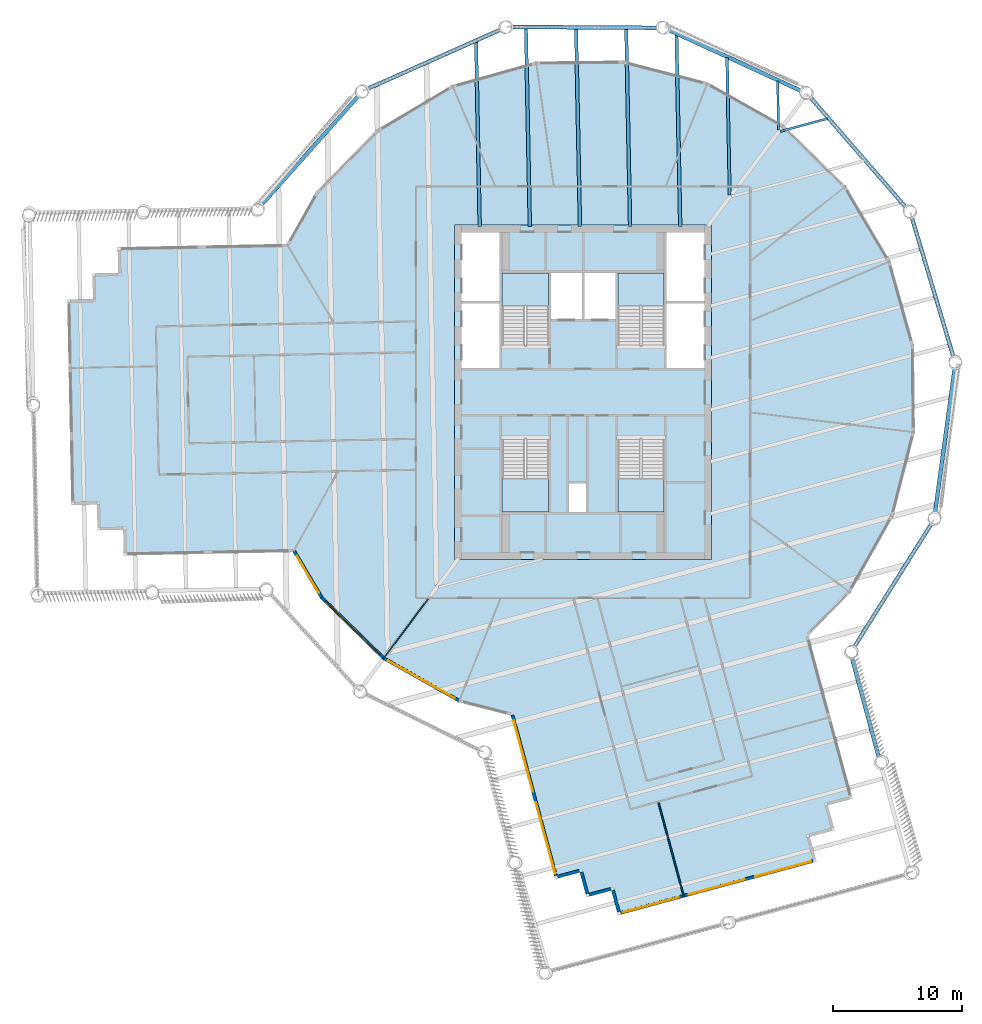
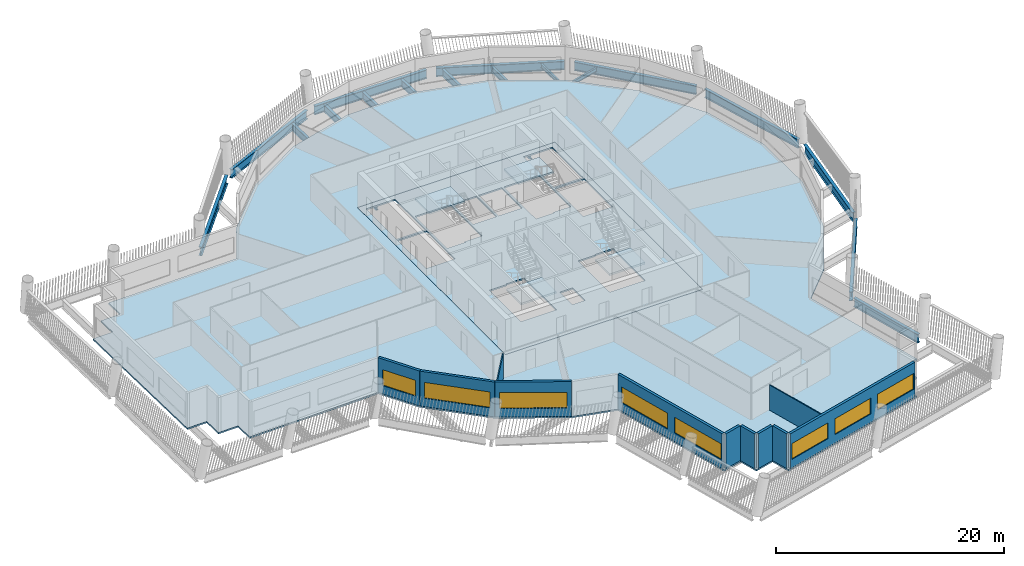
# One storey, part 2 of 15: 17 beams, 11 walls, 8 windows, 6 slabs, 8 openings, 4 elements without a shape of their own.
"""IFC4 building model written with IfcOpenShell, lengths in metres."""

from ifc_helpers import new_model, si_unit, direction, frame, frame_2d, origin, origin_2d, place, context, subcontext, project, spatial, polyline, rectangle, i_section, outline, extrude, material, layer, layer_set, material_profile, profile_set, type_object, element, fill, aggregate, save


model = new_model("IFC4")

# Units and contexts
model_context = context("Model", 3, precision=1e-05, world=origin(), true_north=direction((0.0, 1.0)))
body_context = subcontext(model_context, "Body", "Model", "MODEL_VIEW")
ifc_project = project(units=[si_unit("LENGTHUNIT", "METRE"), si_unit("AREAUNIT", "SQUARE_METRE"), si_unit("VOLUMEUNIT", "CUBIC_METRE"), si_unit("PLANEANGLEUNIT", "RADIAN"), si_unit("MASSUNIT", "GRAM", prefix="KILO")], contexts=[model_context])

# Site, building, storey
site_placement = place(None, origin())
site = spatial("IfcSite", under=ifc_project, at=site_placement, CompositionType="ELEMENT")
building_placement = place(site_placement, origin())
building = spatial("IfcBuilding", under=site, at=building_placement, Name="Tarsis Ring Headquarters", CompositionType="ELEMENT")
storey_placement = place(building_placement, frame((0.0, 0.0, 290.300048828125)))
storey = spatial("IfcBuildingStorey", under=building, at=storey_placement, Name="L68", CompositionType="ELEMENT", Elevation=290.300048828125)

# Beams
ifc_material_1 = material(Name="Structural steel S355", Category="steel")
ifc_material_profile_1 = material_profile(ifc_material_1, i_section(OverallWidth=0.177734375, OverallDepth=0.406494140625, WebThickness=0.0078125, FlangeThickness=0.0126953125, at=origin_2d()), Name="W16x40")
ifc_profile_set_1 = profile_set([ifc_material_profile_1], Name="Structural steel S355")
beam_type_1 = type_object("IfcBeamType", Name="FB Floor beam W16x40", PredefinedType="JOIST", material=ifc_profile_set_1)
beam_1_placement = place(storey_placement, frame((15.353271484375, 20.307861328125, -0.36328125), z_axis=(0.965387411617, 0.260820140119, 0.0), x_axis=(-0.260820140119, 0.965387411617, 0.0)))
element("IfcBeam", 1, at=beam_1_placement, inside=storey, type_object=beam_type_1, Name="Floor beam FB1", PredefinedType="JOIST", context=body_context, shape_type="SweptSolid", body=[
    extrude(i_section(OverallWidth=0.177734375, OverallDepth=0.406494140625, WebThickness=0.0078125, FlangeThickness=0.0126953125, at=origin_2d()), origin(), (0.0, 0.0, 1.0), 3.804931640625),
])
beam_2_placement = place(storey_placement, frame((15.12939453125, 24.224365234375, -0.36328125), z_axis=(0.019568863248, -0.999808511462, 0.0), x_axis=(0.999808511462, 0.019568863248, 0.0)))
element("IfcBeam", 2, at=beam_2_placement, inside=storey, type_object=beam_type_1, Name="Floor beam FB1", PredefinedType="JOIST", context=body_context, shape_type="SweptSolid", body=[
    extrude(i_section(OverallWidth=0.177734375, OverallDepth=0.406494140625, WebThickness=0.0078125, FlangeThickness=0.0126953125, at=origin_2d()), origin(), (0.0, 0.0, 1.0), 3.80517578125),
])
ifc_material_profile_2 = material_profile(ifc_material_1, i_section(OverallWidth=0.228271484375, OverallDepth=0.607177734375, WebThickness=0.01123046875, FlangeThickness=0.017333984375, at=origin_2d()), Name="W24x76")
ifc_profile_set_2 = profile_set([ifc_material_profile_2], Name="Structural steel S355")
beam_type_2 = type_object("IfcBeamType", Name="FB Floor beam W24x76", PredefinedType="JOIST", material=ifc_profile_set_2)
beam_3_placement = place(storey_placement, frame((11.193359375, 26.035400390625, -0.463623046875), z_axis=(0.019536448014, -0.999809145387, 0.0), x_axis=(0.999809145387, 0.019536448014, 0.0)))
element("IfcBeam", 3, at=beam_3_placement, inside=storey, type_object=beam_type_2, Name="Floor beam FB4", PredefinedType="JOIST", context=body_context, shape_type="SweptSolid", body=[
    extrude(i_section(OverallWidth=0.228271484375, OverallDepth=0.607177734375, WebThickness=0.01123046875, FlangeThickness=0.017333984375, at=origin_2d()), origin(), (0.0, 0.0, 1.0), 10.6845703125),
])
ifc_material_profile_3 = material_profile(ifc_material_1, i_section(OverallWidth=0.2666015625, OverallDepth=0.7568359375, WebThickness=0.013916015625, FlangeThickness=0.019287109375, at=origin_2d()), Name="W30x108")
ifc_profile_set_3 = profile_set([ifc_material_profile_3], Name="Structural steel S355")
beam_type_3 = type_object("IfcBeamType", Name="FB Floor beam W30x108", PredefinedType="JOIST", material=ifc_profile_set_3)
beam_4_placement = place(storey_placement, frame((7.257080078125, 27.8466796875, -0.53857421875), z_axis=(0.019548059119, -0.999808918436, 0.0), x_axis=(0.999808918436, 0.019548059119, 0.0)))
element("IfcBeam", 4, at=beam_4_placement, inside=storey, type_object=beam_type_3, Name="Floor beam FB6", PredefinedType="JOIST", context=body_context, shape_type="SweptSolid", body=[
    extrude(i_section(OverallWidth=0.2666015625, OverallDepth=0.7568359375, WebThickness=0.013916015625, FlangeThickness=0.019287109375, at=origin_2d()), origin(), (0.0, 0.0, 1.0), 14.94970703125),
])
beam_5_placement = place(storey_placement, frame((3.34716796875, 28.31982421875, -0.53857421875), z_axis=(0.019533954173, -0.999809194114, 0.0), x_axis=(0.999809194114, 0.019533954173, 0.0)))
element("IfcBeam", 5, at=beam_5_placement, inside=storey, type_object=beam_type_3, Name="Floor beam FB6", PredefinedType="JOIST", context=body_context, shape_type="SweptSolid", body=[
    extrude(i_section(OverallWidth=0.2666015625, OverallDepth=0.7568359375, WebThickness=0.013916015625, FlangeThickness=0.019287109375, at=origin_2d()), origin(), (0.0, 0.0, 1.0), 15.4228515625),
])
beam_6_placement = place(storey_placement, frame((-0.55419921875, 28.3447265625, -0.53857421875), z_axis=(0.019549865455, -0.999808883118, 0.0), x_axis=(0.999808883118, 0.019549865455, 0.0)))
element("IfcBeam", 6, at=beam_6_placement, inside=storey, type_object=beam_type_3, Name="Floor beam FB6", PredefinedType="JOIST", context=body_context, shape_type="SweptSolid", body=[
    extrude(i_section(OverallWidth=0.2666015625, OverallDepth=0.7568359375, WebThickness=0.013916015625, FlangeThickness=0.019287109375, at=origin_2d()), origin(), (0.0, 0.0, 1.0), 15.44775390625),
])
beam_7_placement = place(storey_placement, frame((-4.455322265625, 28.36962890625, -0.53857421875), z_axis=(0.019549952719, -0.999808881411, 0.0), x_axis=(0.999808881411, 0.019549952719, 0.0)))
element("IfcBeam", 7, at=beam_7_placement, inside=storey, type_object=beam_type_3, Name="Floor beam FB6", PredefinedType="JOIST", context=body_context, shape_type="SweptSolid", body=[
    extrude(i_section(OverallWidth=0.2666015625, OverallDepth=0.7568359375, WebThickness=0.013916015625, FlangeThickness=0.019287109375, at=origin_2d()), origin(), (0.0, 0.0, 1.0), 15.47265625),
])
beam_8_placement = place(storey_placement, frame((-8.335205078125, 27.301513671875, -0.53857421875), z_axis=(0.019542284377, -0.999809031326, 0.0), x_axis=(0.999809031326, 0.019542284377, 0.0)))
element("IfcBeam", 8, at=beam_8_placement, inside=storey, type_object=beam_type_3, Name="Floor beam FB6", PredefinedType="JOIST", context=body_context, shape_type="SweptSolid", body=[
    extrude(i_section(OverallWidth=0.2666015625, OverallDepth=0.7568359375, WebThickness=0.013916015625, FlangeThickness=0.019287109375, at=origin_2d()), origin(), (0.0, 0.0, 1.0), 14.404296875),
])
ifc_material_profile_4 = material_profile(ifc_material_1, i_section(OverallWidth=0.309814453125, OverallDepth=0.93212890625, WebThickness=0.02099609375, FlangeThickness=0.034423828125, at=origin_2d()), Name="W36x210")
ifc_profile_set_4 = profile_set([ifc_material_profile_4], Name="Structural steel S355")
beam_type_4 = type_object("IfcBeamType", Name="XG Ring girder W36x210", PredefinedType="BEAM", material=ifc_profile_set_4)
beam_9_placement = place(storey_placement, frame((23.01025390625, -28.42236328125, -0.466064453125), z_axis=(-0.260838199485, 0.96538253231, 0.0), x_axis=(-0.96538253231, -0.260838199485, 0.0)))
element("IfcBeam", 9, at=beam_9_placement, inside=storey, type_object=beam_type_4, Name="Ring girder XG3", PredefinedType="BEAM", context=body_context, shape_type="SweptSolid", body=[
    extrude(i_section(OverallWidth=0.309814453125, OverallDepth=0.93212890625, WebThickness=0.02099609375, FlangeThickness=0.034423828125, at=origin_2d()), origin(), (0.0, 0.0, 1.0), 7.98779296875),
])
for number, where, z_axis, x_axis, name in (
    (10, (21.05029296875, -19.88232421875, -0.466064453125), (0.531088567899, 0.847316312275, 0.0), (-0.847316312275, 0.531088567899, 0.0), "Ring girder XG3"),
    (11, (27.374267578125, -9.43798828125, -0.466064453125), (0.134602783126, 0.990899637085, 0.0), (-0.990899637085, 0.134602783126, 0.0), "Ring girder XG3"),
):
    element("IfcBeam", number, at=place(storey_placement, frame(where, z_axis=z_axis, x_axis=x_axis)), inside=storey, type_object=beam_type_4, Name=name, PredefinedType="BEAM", context=body_context, shape_type="SweptSolid", body=[
        extrude(i_section(OverallWidth=0.309814453125, OverallDepth=0.93212890625, WebThickness=0.02099609375, FlangeThickness=0.034423828125, at=origin_2d()), origin(), (0.0, 0.0, 1.0), 11.334228515625),
    ])
for number, where, z_axis, x_axis, name in (
    (12, (28.830810546875, 2.684326171875, -0.466064453125), (-0.28578638256, 0.95829334942, 0.0), (-0.95829334942, -0.28578638256, 0.0), "Ring girder XG3"),
    (13, (25.161376953125, 14.32958984375, -0.466064453125), (-0.655389640353, 0.75529095011, 0.0), (-0.75529095011, -0.655389640353, 0.0), "Ring girder XG3"),
    (14, (17.017822265625, 23.4267578125, -0.466064453125), (-0.908437289392, 0.418021161238, 0.0), (-0.418021161238, -0.908437289392, 0.0), "Ring girder XG3"),
    (15, (5.8486328125, 28.358642578125, -0.466064453125), (-0.999979537168, 0.006397284277, 0.0), (-0.006397284277, -0.999979537168, 0.0), "Ring girder XG3"),
    (16, (-6.360595703125, 28.248291015625, -0.466064453125), (-0.913718259418, -0.406348301837, 0.0), (0.406348301837, -0.913718259418, 0.0), "Ring girder XG3"),
    (17, (-17.438720703125, 23.115234375, -0.466064453125), (-0.664995977692, -0.746846938571, 0.0), (0.746846938571, -0.664995977692, 0.0), "Ring girder XG3"),
):
    element("IfcBeam", number, at=place(storey_placement, frame(where, z_axis=z_axis, x_axis=x_axis)), inside=storey, type_object=beam_type_4, Name=name, PredefinedType="BEAM", context=body_context, shape_type="SweptSolid", body=[
        extrude(i_section(OverallWidth=0.309814453125, OverallDepth=0.93212890625, WebThickness=0.02099609375, FlangeThickness=0.034423828125, at=origin_2d()), origin(), (0.0, 0.0, 1.0), 11.33447265625),
    ])

# Slab
ifc_material_2 = material(Name="Concrete C40/50", Category="concrete")
ifc_layer_1 = layer(ifc_material_2, 0.159912109375)
ifc_layer_set_1 = layer_set([ifc_layer_1], Name="Core floor slab 160 C40/50")
slab_type_1 = type_object("IfcSlabType", Name="Core floor slab 160 C40/50", PredefinedType="FLOOR", material=ifc_layer_set_1)
slab_1_placement = place(storey_placement, frame((0.0, 0.0, -0.16015625)))
element("IfcSlab", 18, at=slab_1_placement, inside=storey, type_object=slab_type_1, Name="L68 core floor slab", PredefinedType="FLOOR", context=body_context, shape_type="SweptSolid", body=[
    extrude(outline(polyline([(-10.0, -13.0), (10.0, -13.0), (10.0, 13.0), (-10.0, 13.0), (-10.0, -13.0)]), holes=[polyline([(-2.5, 5.699951171875), (-0.10009765625, 5.699951171875), (-0.10009765625, 9.300048828125), (-2.5, 9.300048828125), (-2.5, 5.699951171875)]), polyline([(0.10009765625, 5.699951171875), (2.5, 5.699951171875), (2.5, 9.300048828125), (0.10009765625, 9.300048828125), (0.10009765625, 5.699951171875)]), polyline([(-9.449951171875, 1.89990234375), (-6.5, 1.89990234375), (-6.5, 6.89990234375), (-9.449951171875, 6.89990234375), (-9.449951171875, 1.89990234375)]), polyline([(-9.449951171875, 7.10009765625), (-6.5, 7.10009765625), (-6.5, 12.449951171875), (-9.449951171875, 12.449951171875), (-9.449951171875, 7.10009765625)]), polyline([(6.5, 1.89990234375), (9.449951171875, 1.89990234375), (9.449951171875, 6.89990234375), (6.5, 6.89990234375), (6.5, 1.89990234375)]), polyline([(6.5, 7.10009765625), (9.449951171875, 7.10009765625), (9.449951171875, 12.449951171875), (6.5, 12.449951171875), (6.5, 7.10009765625)]), polyline([(-1.10009765625, -9.300048828125), (0.199951171875, -9.300048828125), (0.199951171875, -7.10009765625), (-1.10009765625, -7.10009765625), (-1.10009765625, -9.300048828125)]), polyline([(-2.699951171875, 3.760009765625), (-2.699951171875, 9.300048828125), (-6.300048828125, 9.300048828125), (-6.300048828125, 3.659912109375), (-4.4599609375, 3.659912109375), (-4.4599609375, 3.760009765625), (-2.699951171875, 3.760009765625)]), polyline([(6.300048828125, 3.760009765625), (6.300048828125, 9.300048828125), (2.699951171875, 9.300048828125), (2.699951171875, 3.659912109375), (4.5400390625, 3.659912109375), (4.5400390625, 3.760009765625), (6.300048828125, 3.760009765625)]), polyline([(-6.300048828125, -3.760009765625), (-6.300048828125, -9.300048828125), (-2.699951171875, -9.300048828125), (-2.699951171875, -3.659912109375), (-4.5400390625, -3.659912109375), (-4.5400390625, -3.760009765625), (-6.300048828125, -3.760009765625)]), polyline([(2.699951171875, -3.760009765625), (2.699951171875, -9.300048828125), (6.300048828125, -9.300048828125), (6.300048828125, -3.659912109375), (4.4599609375, -3.659912109375), (4.4599609375, -3.760009765625), (2.699951171875, -3.760009765625)])]), origin(), (0.0, 0.0, 1.0), 0.16015625),
])

# Stair, slab
ifc_material_3 = material(Name="Core stair 1760")
stair_type = type_object("IfcStairType", Name="Core stair 1760", PredefinedType="HALF_TURN_STAIR", material=ifc_material_3)
stair_1_placement = place(storey_placement, origin())
stair_1 = element("IfcStair", 19, at=stair_1_placement, inside=storey, type_object=stair_type, Name="L68 Firefighting stair", PredefinedType="HALF_TURN_STAIR")
ifc_layer_2 = layer(ifc_material_2, 0.199951171875)
ifc_layer_set_2 = layer_set([ifc_layer_2], Name="Core stair landing 200")
slab_type_2 = type_object("IfcSlabType", Name="Core stair landing 200", PredefinedType="LANDING", material=ifc_layer_set_2)
slab_2_placement = place(storey_placement, frame((0.0, 0.0, 1.75)))
slab_2 = element("IfcSlab", 20, at=slab_2_placement, type_object=slab_type_2, Name="Stair ST1 landing 1", PredefinedType="LANDING", context=body_context, shape_type="SweptSolid", body=[
    extrude(outline(polyline([(-2.699951171875, 6.739990234375), (-2.699951171875, 9.300048828125), (-6.300048828125, 9.300048828125), (-6.300048828125, 6.739990234375), (-2.699951171875, 6.739990234375)])), origin(), (0.0, 0.0, 1.0), 0.199951171875),
])
aggregate(stair_1, [slab_2])

stair_2_placement = place(storey_placement, origin())
stair_2 = element("IfcStair", 21, at=stair_2_placement, inside=storey, type_object=stair_type, Name="L68 Exit stair B", PredefinedType="HALF_TURN_STAIR")
slab_3_placement = place(storey_placement, frame((0.0, 0.0, 1.75)))
slab_3 = element("IfcSlab", 22, at=slab_3_placement, type_object=slab_type_2, Name="Stair ST2 landing 1", PredefinedType="LANDING", context=body_context, shape_type="SweptSolid", body=[
    extrude(outline(polyline([(6.300048828125, 6.739990234375), (6.300048828125, 9.300048828125), (2.699951171875, 9.300048828125), (2.699951171875, 6.739990234375), (6.300048828125, 6.739990234375)])), origin(), (0.0, 0.0, 1.0), 0.199951171875),
])
aggregate(stair_2, [slab_3])

stair_3_placement = place(storey_placement, origin())
stair_3 = element("IfcStair", 23, at=stair_3_placement, inside=storey, type_object=stair_type, Name="L68 Exit stair C", PredefinedType="HALF_TURN_STAIR")
slab_4_placement = place(storey_placement, frame((0.0, 0.0, 1.75)))
slab_4 = element("IfcSlab", 24, at=slab_4_placement, type_object=slab_type_2, Name="Stair ST3 landing 1", PredefinedType="LANDING", context=body_context, shape_type="SweptSolid", body=[
    extrude(outline(polyline([(-6.300048828125, -6.739990234375), (-6.300048828125, -9.300048828125), (-2.699951171875, -9.300048828125), (-2.699951171875, -6.739990234375), (-6.300048828125, -6.739990234375)])), origin(), (0.0, 0.0, 1.0), 0.199951171875),
])
aggregate(stair_3, [slab_4])

stair_4_placement = place(storey_placement, origin())
stair_4 = element("IfcStair", 25, at=stair_4_placement, inside=storey, type_object=stair_type, Name="L68 Exit stair D", PredefinedType="HALF_TURN_STAIR")
slab_5_placement = place(storey_placement, frame((0.0, 0.0, 1.75)))
slab_5 = element("IfcSlab", 26, at=slab_5_placement, type_object=slab_type_2, Name="Stair ST4 landing 1", PredefinedType="LANDING", context=body_context, shape_type="SweptSolid", body=[
    extrude(outline(polyline([(2.699951171875, -6.739990234375), (2.699951171875, -9.300048828125), (6.300048828125, -9.300048828125), (6.300048828125, -6.739990234375), (2.699951171875, -6.739990234375)])), origin(), (0.0, 0.0, 1.0), 0.199951171875),
])
aggregate(stair_4, [slab_5])

# Slab
ifc_material_4 = material(Name="Concrete C35/45", Category="concrete")
ifc_layer_3 = layer(ifc_material_4, 0.159912109375)
ifc_layer_set_3 = layer_set([ifc_layer_3], Name="FS Composite floor slab 160")
slab_type_3 = type_object("IfcSlabType", Name="FS Composite floor slab 160", PredefinedType="FLOOR", material=ifc_layer_set_3)
slab_6_placement = place(storey_placement, frame((0.0, 0.0, -0.16015625)))
element("IfcSlab", 27, at=slab_6_placement, inside=storey, type_object=slab_type_3, Name="Floor slab L68", PredefinedType="FLOOR", context=body_context, shape_type="SweptSolid", body=[
    extrude(outline(polyline([(-22.589111328125, -12.44384765625), (-20.45458984375, -16.050048828125), (-15.603759765625, -20.79736328125), (-9.689208984375, -24.127197265625), (-5.630126953125, -25.167724609375), (-2.1943359375, -37.8837890625), (-0.263427734375, -37.362060546875), (0.258056640625, -39.29296875), (2.18896484375, -38.771240234375), (2.710693359375, -40.701904296875), (18.15673828125, -36.528564453125), (17.635009765625, -34.59765625), (19.565673828125, -34.076171875), (19.044189453125, -32.145263671875), (20.974853515625, -31.62353515625), (17.54443359375, -18.927734375), (20.79736328125, -15.603759765625), (24.127197265625, -9.689208984375), (25.812744140625, -3.114501953125), (25.7392578125, 3.67236328125), (23.911865234375, 10.209228515625), (20.45458984375, 16.050048828125), (15.603759765625, 20.79736328125), (9.689208984375, 24.127197265625), (3.114501953125, 25.812744140625), (-3.67236328125, 25.7392578125), (-10.209228515625, 23.911865234375), (-16.050048828125, 20.45458984375), (-20.79736328125, 15.603759765625), (-23.078857421875, 11.551025390625), (-36.227783203125, 11.2939453125), (-36.1884765625, 9.29443359375), (-38.188232421875, 9.25537109375), (-38.149169921875, 7.255615234375), (-40.148681640625, 7.216552734375), (-39.8359375, -8.7802734375), (-37.83642578125, -8.7412109375), (-37.79736328125, -10.740966796875), (-35.797607421875, -10.70166015625), (-35.758544921875, -12.701416015625), (-22.589111328125, -12.44384765625)]), holes=[polyline([(-10.0, -13.0), (-10.0, 13.0), (10.0, 13.0), (10.0, -13.0), (-10.0, -13.0)])]), origin(), (0.0, 0.0, 1.0), 0.16015625),
])

# Walls
ifc_material_5 = material(Name="Gypsum board on steel studs", Category="steel")
ifc_layer_4 = layer(ifc_material_5, 0.10009765625)
ifc_layer_set_4 = layer_set([ifc_layer_4], Name="FL partition 100 unrated")
wall_type_1 = type_object("IfcWallType", Name="FL partition 100 unrated", PredefinedType="PARTITIONING", material=ifc_layer_set_4)
wall_1_placement = place(storey_placement, frame((5.860595703125, -31.926513671875, 0.0), z_axis=(0.0, 0.0, 1.0), x_axis=(0.260844296103, -0.965380885035, 0.0)))
element("IfcWall", 28, at=wall_1_placement, inside=storey, type_object=wall_type_1, Name="Partition PW3", PredefinedType="PARTITIONING", context=body_context, shape_type="SweptSolid", body=[
    extrude(rectangle(XDim=7.60009765625, YDim=0.10009765625, at=frame_2d((3.800048828125, 0.0))), origin(), (0.0, 0.0, 1.0), 2.699951171875),
])
wall_2_placement = place(storey_placement, frame((-15.572509765625, -20.755615234375, 0.0), z_axis=(0.0, 0.0, 1.0), x_axis=(0.600153692426, 0.79988470761, 0.0)))
element("IfcWall", 29, at=wall_2_placement, inside=storey, type_object=wall_type_1, Name="Partition PW3", PredefinedType="PARTITIONING", context=body_context, shape_type="SweptSolid", body=[
    extrude(rectangle(XDim=5.84521484375, YDim=0.10009765625, at=frame_2d((2.922607421875, 0.0))), origin(), (0.0, 0.0, 1.0), 2.699951171875),
])

# Wall, opening, window
ifc_material_6 = material(Name="Terracotta clad insulated panel wall", Category="masonry")
ifc_layer_5 = layer(ifc_material_6, 0.25)
ifc_layer_set_5 = layer_set([ifc_layer_5], Name="Facade wall terracotta panel 250")
wall_type_2 = type_object("IfcWallType", Name="Facade wall terracotta panel 250", PredefinedType="STANDARD", material=ifc_layer_set_5)
wall_3_placement = place(storey_placement, frame((-22.4814453125, -12.380126953125, 0.0), z_axis=(0.0, 0.0, 1.0), x_axis=(0.509304917974, -0.860586137773, 0.0)))
wall_3 = element("IfcWall", 30, at=wall_3_placement, inside=storey, type_object=wall_type_2, Name="External wall L68-02", PredefinedType="STANDARD", context=body_context, shape_type="SweptSolid", body=[
    extrude(rectangle(XDim=4.157470703125, YDim=0.25, at=frame_2d((2.07861328125, 0.0))), origin(), (0.0, 0.0, 1.0), 3.739990234375),
])
opening_1_placement = place(wall_3_placement, frame((0.420166015625, 0.0, 0.89990234375)))
opening_1 = element("IfcOpeningElement", 31, at=opening_1_placement, cuts=wall_3, Name="Opening WN01", PredefinedType="OPENING", context=body_context, shape_type="SweptSolid", body=[
    extrude(rectangle(XDim=3.35009765625, YDim=1.699951171875, at=frame_2d((1.675048828125, 0.85009765625))), frame((0.0, 0.135009765625, 0.0), z_axis=(0.0, -1.0, 0.0), x_axis=(1.0, 0.0, 0.0)), (0.0, 0.0, 1.0), 0.27001953125),
])
ifc_material_7 = material(Name="Aluminium framed double glazing", Category="aluminium")
window_type_1 = type_object("IfcWindowType", Name="Facade window 3350 x 1700", PartitioningType="SINGLE_PANEL", PredefinedType="WINDOW", material=ifc_material_7)
window_1_placement = place(opening_1_placement, origin())
window_1 = element("IfcWindow", 32, at=window_1_placement, inside=storey, type_object=window_type_1, Name="Window L68-02.1", OverallHeight=1.699951171875, OverallWidth=3.35009765625, PartitioningType="SINGLE_PANEL", PredefinedType="WINDOW", context=body_context, shape_type="SweptSolid", body=[
    extrude(rectangle(XDim=3.35009765625, YDim=1.699951171875, at=frame_2d((1.675048828125, 0.85009765625))), frame((0.0, 0.030029296875, 0.0), z_axis=(0.0, -1.0, 0.0), x_axis=(1.0, 0.0, 0.0)), (0.0, 0.0, 1.0), 0.06005859375),
])
fill(opening_1, window_1)

wall_4_placement = place(storey_placement, frame((-20.34375, -15.983642578125, 0.0), z_axis=(0.0, 0.0, 1.0), x_axis=(0.714711259509, -0.699419627642, 0.0)))
wall_4 = element("IfcWall", 33, at=wall_4_placement, inside=storey, type_object=wall_type_2, Name="External wall L68-03", PredefinedType="STANDARD", context=body_context, shape_type="SweptSolid", body=[
    extrude(rectangle(XDim=6.721435546875, YDim=0.25, at=frame_2d((3.36083984375, 0.0))), origin(), (0.0, 0.0, 1.0), 3.739990234375),
])
opening_2_placement = place(wall_4_placement, frame((0.3857421875, 0.0, 0.89990234375)))
opening_2 = element("IfcOpeningElement", 34, at=opening_2_placement, cuts=wall_4, Name="Opening WN07", PredefinedType="OPENING", context=body_context, shape_type="SweptSolid", body=[
    extrude(rectangle(XDim=5.949951171875, YDim=1.699951171875, at=frame_2d((2.97509765625, 0.85009765625))), frame((0.0, 0.135009765625, 0.0), z_axis=(0.0, -1.0, 0.0), x_axis=(1.0, 0.0, 0.0)), (0.0, 0.0, 1.0), 0.27001953125),
])
window_type_2 = type_object("IfcWindowType", Name="Facade window 5950 x 1700", PartitioningType="SINGLE_PANEL", PredefinedType="WINDOW", material=ifc_material_7)
window_2_placement = place(opening_2_placement, origin())
window_2 = element("IfcWindow", 35, at=window_2_placement, inside=storey, type_object=window_type_2, Name="Window L68-03.1", OverallHeight=1.699951171875, OverallWidth=5.949951171875, PartitioningType="SINGLE_PANEL", PredefinedType="WINDOW", context=body_context, shape_type="SweptSolid", body=[
    extrude(rectangle(XDim=5.949951171875, YDim=1.699951171875, at=frame_2d((2.97509765625, 0.85009765625))), frame((0.0, 0.030029296875, 0.0), z_axis=(0.0, -1.0, 0.0), x_axis=(1.0, 0.0, 0.0)), (0.0, 0.0, 1.0), 0.06005859375),
])
fill(opening_2, window_2)

wall_5_placement = place(storey_placement, frame((-15.513671875, -20.70458984375, 0.0), z_axis=(0.0, 0.0, 1.0), x_axis=(0.871403788945, -0.490566444646, 0.0)))
wall_5 = element("IfcWall", 36, at=wall_5_placement, inside=storey, type_object=wall_type_2, Name="External wall L68-04", PredefinedType="STANDARD", context=body_context, shape_type="SweptSolid", body=[
    extrude(rectangle(XDim=6.721435546875, YDim=0.25, at=frame_2d((3.36083984375, 0.0))), origin(), (0.0, 0.0, 1.0), 3.739990234375),
])
opening_3_placement = place(wall_5_placement, frame((0.3857421875, 0.0, 0.89990234375)))
opening_3 = element("IfcOpeningElement", 37, at=opening_3_placement, cuts=wall_5, Name="Opening WN07", PredefinedType="OPENING", context=body_context, shape_type="SweptSolid", body=[
    extrude(rectangle(XDim=5.949951171875, YDim=1.699951171875, at=frame_2d((2.97509765625, 0.85009765625))), frame((0.0, 0.135009765625, 0.0), z_axis=(0.0, -1.0, 0.0), x_axis=(1.0, 0.0, 0.0)), (0.0, 0.0, 1.0), 0.27001953125),
])
window_3_placement = place(opening_3_placement, origin())
window_3 = element("IfcWindow", 38, at=window_3_placement, inside=storey, type_object=window_type_2, Name="Window L68-04.1", OverallHeight=1.699951171875, OverallWidth=5.949951171875, PartitioningType="SINGLE_PANEL", PredefinedType="WINDOW", context=body_context, shape_type="SweptSolid", body=[
    extrude(rectangle(XDim=5.949951171875, YDim=1.699951171875, at=frame_2d((2.97509765625, 0.85009765625))), frame((0.0, 0.030029296875, 0.0), z_axis=(0.0, -1.0, 0.0), x_axis=(1.0, 0.0, 0.0)), (0.0, 0.0, 1.0), 0.06005859375),
])
fill(opening_3, window_3)

# Wall, openings, windows
wall_6_placement = place(storey_placement, frame((-5.509521484375, -25.13525390625, 0.0), z_axis=(0.0, 0.0, 1.0), x_axis=(0.260843353949, -0.965381139603, 0.0)))
wall_6 = element("IfcWall", 39, at=wall_6_placement, inside=storey, type_object=wall_type_2, Name="External wall L68-06", PredefinedType="STANDARD", context=body_context, shape_type="SweptSolid", body=[
    extrude(rectangle(XDim=12.921875, YDim=0.25, at=frame_2d((6.4609375, 0.0))), origin(), (0.0, 0.0, 1.0), 3.739990234375),
])
opening_4_placement = place(wall_6_placement, frame((0.41796875, 0.0, 0.89990234375)))
opening_4 = element("IfcOpeningElement", 40, at=opening_4_placement, cuts=wall_6, Name="Opening WN06", PredefinedType="OPENING", context=body_context, shape_type="SweptSolid", body=[
    extrude(rectangle(XDim=5.75, YDim=1.699951171875, at=frame_2d((2.875, 0.85009765625))), frame((0.0, 0.135009765625, 0.0), z_axis=(0.0, -1.0, 0.0), x_axis=(1.0, 0.0, 0.0)), (0.0, 0.0, 1.0), 0.27001953125),
])
opening_5_placement = place(wall_6_placement, frame((7.00390625, 0.0, 0.89990234375)))
opening_5 = element("IfcOpeningElement", 41, at=opening_5_placement, cuts=wall_6, Name="Opening WN06", PredefinedType="OPENING", context=body_context, shape_type="SweptSolid", body=[
    extrude(rectangle(XDim=5.75, YDim=1.699951171875, at=frame_2d((2.875, 0.85009765625))), frame((0.0, 0.135009765625, 0.0), z_axis=(0.0, -1.0, 0.0), x_axis=(1.0, 0.0, 0.0)), (0.0, 0.0, 1.0), 0.27001953125),
])
window_type_3 = type_object("IfcWindowType", Name="Facade window 5750 x 1700", PartitioningType="SINGLE_PANEL", PredefinedType="WINDOW", material=ifc_material_7)
window_4_placement = place(opening_4_placement, origin())
window_4 = element("IfcWindow", 42, at=window_4_placement, inside=storey, type_object=window_type_3, Name="Window L68-06.1", OverallHeight=1.699951171875, OverallWidth=5.75, PartitioningType="SINGLE_PANEL", PredefinedType="WINDOW", context=body_context, shape_type="SweptSolid", body=[
    extrude(rectangle(XDim=5.75, YDim=1.699951171875, at=frame_2d((2.875, 0.85009765625))), frame((0.0, 0.030029296875, 0.0), z_axis=(0.0, -1.0, 0.0), x_axis=(1.0, 0.0, 0.0)), (0.0, 0.0, 1.0), 0.06005859375),
])
fill(opening_4, window_4)
window_5_placement = place(opening_5_placement, origin())
window_5 = element("IfcWindow", 43, at=window_5_placement, inside=storey, type_object=window_type_3, Name="Window L68-06.2", OverallHeight=1.699951171875, OverallWidth=5.75, PartitioningType="SINGLE_PANEL", PredefinedType="WINDOW", context=body_context, shape_type="SweptSolid", body=[
    extrude(rectangle(XDim=5.75, YDim=1.699951171875, at=frame_2d((2.875, 0.85009765625))), frame((0.0, 0.030029296875, 0.0), z_axis=(0.0, -1.0, 0.0), x_axis=(1.0, 0.0, 0.0)), (0.0, 0.0, 1.0), 0.06005859375),
])
fill(opening_5, window_5)

# Walls
for number, where, z_axis, x_axis, name in (
    (44, (-1.985595703125, -37.697998046875, 0.0), (0.0, 0.0, 1.0), (0.965372888968, 0.260873887626, 0.0), "External wall L68-07"),
    (45, (-0.142822265625, -37.32958984375, 0.0), (0.0, 0.0, 1.0), (0.260873887626, -0.965372888968, 0.0), "External wall L68-08"),
    (46, (0.466796875, -39.10693359375, 0.0), (0.0, 0.0, 1.0), (0.965408014449, 0.260743869798, 0.0), "External wall L68-09"),
    (47, (2.3095703125, -38.738525390625, 0.0), (0.0, 0.0, 1.0), (0.260873887626, -0.965372888968, 0.0), "External wall L68-10"),
):
    element("IfcWall", number, at=place(storey_placement, frame(where, z_axis=z_axis, x_axis=x_axis)), inside=storey, type_object=wall_type_2, Name=name, PredefinedType="STANDARD", context=body_context, shape_type="SweptSolid", body=[
        extrude(rectangle(XDim=1.75, YDim=0.25, at=frame_2d((0.875, 0.0))), origin(), (0.0, 0.0, 1.0), 3.739990234375),
    ])

# Wall, openings, windows
wall_7_placement = place(storey_placement, frame((2.91943359375, -40.51611328125, 0.0), z_axis=(0.0, 0.0, 1.0), x_axis=(0.965382690533, 0.260837613889, 0.0)))
wall_7 = element("IfcWall", 48, at=wall_7_placement, inside=storey, type_object=wall_type_2, Name="External wall L68-11", PredefinedType="STANDARD", context=body_context, shape_type="SweptSolid", body=[
    extrude(rectangle(XDim=15.5, YDim=0.25, at=frame_2d((7.75, 0.0))), origin(), (0.0, 0.0, 1.0), 3.739990234375),
])
opening_6_placement = place(wall_7_placement, frame((0.166748046875, 0.0, 0.89990234375)))
opening_6 = element("IfcOpeningElement", 49, at=opening_6_placement, cuts=wall_7, Name="Opening WN04", PredefinedType="OPENING", context=body_context, shape_type="SweptSolid", body=[
    extrude(rectangle(XDim=4.5, YDim=1.699951171875, at=frame_2d((2.25, 0.85009765625))), frame((0.0, 0.135009765625, 0.0), z_axis=(0.0, -1.0, 0.0), x_axis=(1.0, 0.0, 0.0)), (0.0, 0.0, 1.0), 0.27001953125),
])
opening_7_placement = place(wall_7_placement, frame((5.5, 0.0, 0.89990234375)))
opening_7 = element("IfcOpeningElement", 50, at=opening_7_placement, cuts=wall_7, Name="Opening WN04", PredefinedType="OPENING", context=body_context, shape_type="SweptSolid", body=[
    extrude(rectangle(XDim=4.5, YDim=1.699951171875, at=frame_2d((2.25, 0.85009765625))), frame((0.0, 0.135009765625, 0.0), z_axis=(0.0, -1.0, 0.0), x_axis=(1.0, 0.0, 0.0)), (0.0, 0.0, 1.0), 0.27001953125),
])
opening_8_placement = place(wall_7_placement, frame((10.833251953125, 0.0, 0.89990234375)))
opening_8 = element("IfcOpeningElement", 51, at=opening_8_placement, cuts=wall_7, Name="Opening WN04", PredefinedType="OPENING", context=body_context, shape_type="SweptSolid", body=[
    extrude(rectangle(XDim=4.5, YDim=1.699951171875, at=frame_2d((2.25, 0.85009765625))), frame((0.0, 0.135009765625, 0.0), z_axis=(0.0, -1.0, 0.0), x_axis=(1.0, 0.0, 0.0)), (0.0, 0.0, 1.0), 0.27001953125),
])
window_type_4 = type_object("IfcWindowType", Name="Facade window 4500 x 1700", PartitioningType="SINGLE_PANEL", PredefinedType="WINDOW", material=ifc_material_7)
window_6_placement = place(opening_6_placement, origin())
window_6 = element("IfcWindow", 52, at=window_6_placement, inside=storey, type_object=window_type_4, Name="Window L68-11.1", OverallHeight=1.699951171875, OverallWidth=4.5, PartitioningType="SINGLE_PANEL", PredefinedType="WINDOW", context=body_context, shape_type="SweptSolid", body=[
    extrude(rectangle(XDim=4.5, YDim=1.699951171875, at=frame_2d((2.25, 0.85009765625))), frame((0.0, 0.030029296875, 0.0), z_axis=(0.0, -1.0, 0.0), x_axis=(1.0, 0.0, 0.0)), (0.0, 0.0, 1.0), 0.06005859375),
])
fill(opening_6, window_6)
window_7_placement = place(opening_7_placement, origin())
window_7 = element("IfcWindow", 53, at=window_7_placement, inside=storey, type_object=window_type_4, Name="Window L68-11.2", OverallHeight=1.699951171875, OverallWidth=4.5, PartitioningType="SINGLE_PANEL", PredefinedType="WINDOW", context=body_context, shape_type="SweptSolid", body=[
    extrude(rectangle(XDim=4.5, YDim=1.699951171875, at=frame_2d((2.25, 0.85009765625))), frame((0.0, 0.030029296875, 0.0), z_axis=(0.0, -1.0, 0.0), x_axis=(1.0, 0.0, 0.0)), (0.0, 0.0, 1.0), 0.06005859375),
])
fill(opening_7, window_7)
window_8_placement = place(opening_8_placement, origin())
window_8 = element("IfcWindow", 54, at=window_8_placement, inside=storey, type_object=window_type_4, Name="Window L68-11.3", OverallHeight=1.699951171875, OverallWidth=4.5, PartitioningType="SINGLE_PANEL", PredefinedType="WINDOW", context=body_context, shape_type="SweptSolid", body=[
    extrude(rectangle(XDim=4.5, YDim=1.699951171875, at=frame_2d((2.25, 0.85009765625))), frame((0.0, 0.030029296875, 0.0), z_axis=(0.0, -1.0, 0.0), x_axis=(1.0, 0.0, 0.0)), (0.0, 0.0, 1.0), 0.06005859375),
])
fill(opening_8, window_8)

save(model, "model.ifc")
